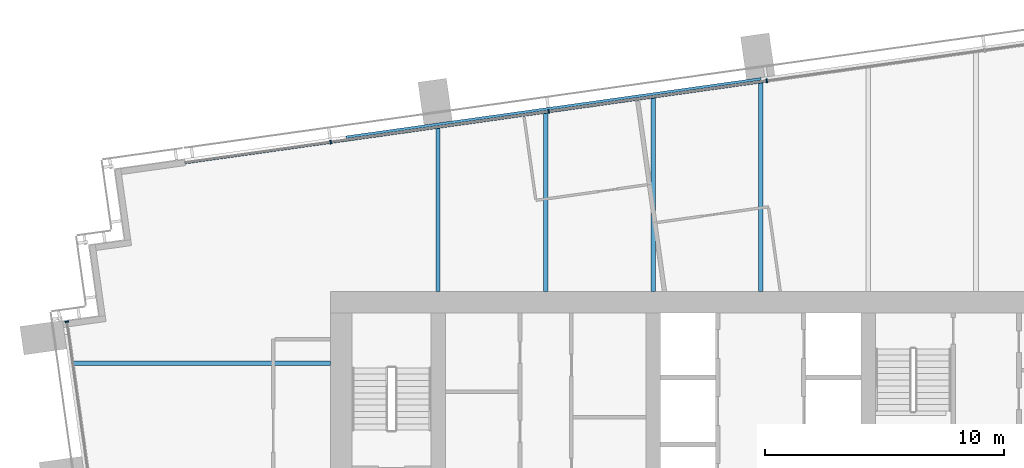
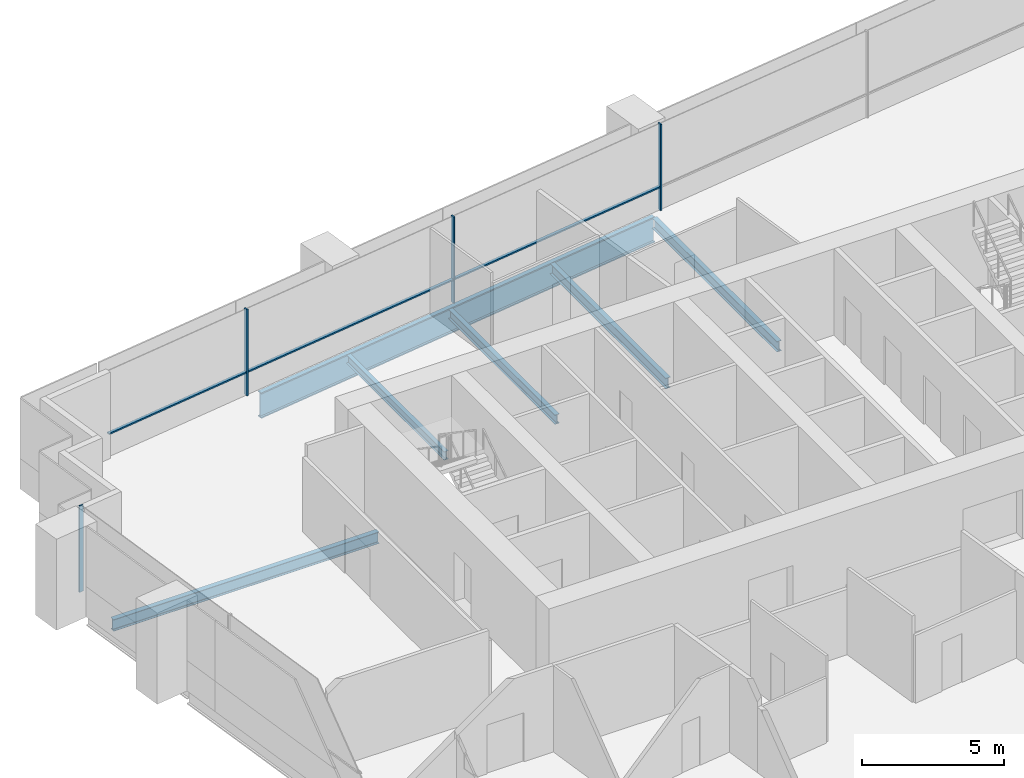
# One storey, part 6 of 18: 7 members, 6 beams, 2 elements without a shape of their own.
"""IFC4 building model written with IfcOpenShell, lengths in metres."""

from ifc_helpers import new_model, si_unit, direction, frame, origin, origin_2d, place, context, subcontext, project, spatial, rectangle, i_section, extrude, material, material_profile, profile_set, type_object, element, aggregate, save


model = new_model("IFC4")

# Units and contexts
model_context = context("Model", 3, precision=1e-05, world=origin(), true_north=direction((0.0, 1.0)))
body_context = subcontext(model_context, "Body", "Model", "MODEL_VIEW")
ifc_project = project(units=[si_unit("LENGTHUNIT", "METRE"), si_unit("AREAUNIT", "SQUARE_METRE"), si_unit("VOLUMEUNIT", "CUBIC_METRE"), si_unit("PLANEANGLEUNIT", "RADIAN"), si_unit("MASSUNIT", "GRAM", prefix="KILO")], contexts=[model_context])

# Site, building, storey
site_placement = place(None, origin())
site = spatial("IfcSite", under=ifc_project, at=site_placement, CompositionType="ELEMENT")
building_placement = place(site_placement, origin())
building = spatial("IfcBuilding", under=site, at=building_placement, Name="Rattan Terrace Tower", CompositionType="ELEMENT")
storey_placement = place(building_placement, frame((0.0, 0.0, 176.300048828125)))
storey = spatial("IfcBuildingStorey", under=building, at=storey_placement, Name="L40", CompositionType="ELEMENT", Elevation=176.300048828125)

# Curtain wall, members
ifc_material_1 = material(Name="Aluminium and glass", Category="aluminium")
curtain_wall_type = type_object("IfcCurtainWallType", Name="Facade Unitised Curtain Wall", PredefinedType="NOTDEFINED", material=ifc_material_1)
curtain_wall_1_placement = place(storey_placement, origin())
curtain_wall_1 = element("IfcCurtainWall", 1, at=curtain_wall_1_placement, inside=storey, type_object=curtain_wall_type, Name="Curtain wall L40-2", PredefinedType="NOTDEFINED")
ifc_material_2 = material(Name="Aluminium", Category="aluminium")
ifc_material_profile_1 = material_profile(ifc_material_2, rectangle(XDim=0.06005859375, YDim=0.159912109375, at=origin_2d()), Name="Aluminium 60x160")
ifc_profile_set_1 = profile_set([ifc_material_profile_1], Name="Aluminium")
member_type_1 = type_object("IfcMemberType", Name="Facade CW Mullion 60x160", PredefinedType="MULLION", material=ifc_profile_set_1)
member_1_placement = place(storey_placement, frame((0.25, 16.3125, 0.0), z_axis=(0.0, 0.0, 1.0), x_axis=(-0.990269702686, -0.139161474347, 0.0)))
member_1 = element("IfcMember", 2, at=member_1_placement, type_object=member_type_1, Name="Mullion cwl-L40-002.3", PredefinedType="MULLION", context=body_context, shape_type="SweptSolid", body=[
    extrude(rectangle(XDim=0.06005859375, YDim=0.159912109375, at=origin_2d()), origin(), (0.0, 0.0, 1.0), 3.699951171875),
])
member_2_placement = place(storey_placement, frame((-8.873291015625, 15.0302734375, 0.0), z_axis=(0.0, 0.0, 1.0), x_axis=(-0.990269702686, -0.139161474347, 0.0)))
member_2 = element("IfcMember", 3, at=member_2_placement, type_object=member_type_1, Name="Mullion cwl-L40-002.4", PredefinedType="MULLION", context=body_context, shape_type="SweptSolid", body=[
    extrude(rectangle(XDim=0.06005859375, YDim=0.159912109375, at=origin_2d()), origin(), (0.0, 0.0, 1.0), 3.699951171875),
])
member_3_placement = place(storey_placement, frame((-17.996826171875, 13.748291015625, 0.0), z_axis=(0.0, 0.0, 1.0), x_axis=(-0.990269702686, -0.139161474347, 0.0)))
member_3 = element("IfcMember", 4, at=member_3_placement, type_object=member_type_1, Name="Mullion cwl-L40-002.5", PredefinedType="MULLION", context=body_context, shape_type="SweptSolid", body=[
    extrude(rectangle(XDim=0.06005859375, YDim=0.159912109375, at=origin_2d()), origin(), (0.0, 0.0, 1.0), 3.699951171875),
])

# Curtain wall, member
curtain_wall_2_placement = place(storey_placement, origin())
curtain_wall_2 = element("IfcCurtainWall", 5, at=curtain_wall_2_placement, inside=storey, type_object=curtain_wall_type, Name="Curtain wall L40-3", PredefinedType="NOTDEFINED")
member_4_placement = place(storey_placement, frame((-29.037109375, 6.2333984375, 0.0), z_axis=(0.0, 0.0, 1.0), x_axis=(0.139190856006, -0.99026557327, 0.0)))
member_4 = element("IfcMember", 6, at=member_4_placement, type_object=member_type_1, Name="Mullion cwl-L40-003.1", PredefinedType="MULLION", context=body_context, shape_type="SweptSolid", body=[
    extrude(rectangle(XDim=0.06005859375, YDim=0.159912109375, at=origin_2d()), origin(), (0.0, 0.0, 1.0), 3.699951171875),
])
aggregate(curtain_wall_2, [member_4])

# Member
ifc_material_3 = material(Name="Aluminium", Category="aluminium")
ifc_material_profile_2 = material_profile(ifc_material_3, rectangle(XDim=0.1201171875, YDim=0.06005859375, at=origin_2d()), Name="Aluminium 120x60")
ifc_profile_set_2 = profile_set([ifc_material_profile_2], Name="Aluminium")
member_type_2 = type_object("IfcMemberType", Name="Facade CW Transom 120x60", PredefinedType="USERDEFINED", material=ifc_profile_set_2)
member_5_placement = place(storey_placement, frame((0.22021484375, 16.308349609375, 1.0), z_axis=(-0.990267035849, -0.139180450171, 0.0), x_axis=(0.139180450171, -0.990267035849, 0.0)))
member_5 = element("IfcMember", 7, at=member_5_placement, type_object=member_type_2, Name="Transom cwl-L40-002.3", ObjectType="TRANSOM", PredefinedType="USERDEFINED", context=body_context, shape_type="SweptSolid", body=[
    extrude(rectangle(XDim=0.1201171875, YDim=0.06005859375, at=origin_2d()), origin(), (0.0, 0.0, 1.0), 9.153076171875),
])

member_6_placement = place(storey_placement, frame((-8.903076171875, 15.026123046875, 1.0), z_axis=(-0.990270711765, -0.139154293575, 0.0), x_axis=(0.139154293575, -0.990270711765, 0.0)))
member_6 = element("IfcMember", 8, at=member_6_placement, type_object=member_type_2, Name="Transom cwl-L40-002.4", ObjectType="TRANSOM", PredefinedType="USERDEFINED", context=body_context, shape_type="SweptSolid", body=[
    extrude(rectangle(XDim=0.1201171875, YDim=0.06005859375, at=origin_2d()), origin(), (0.0, 0.0, 1.0), 9.153076171875),
])

member_7_placement = place(storey_placement, frame((-18.0263671875, 13.744140625, 1.0), z_axis=(-0.990267752185, -0.139175353357, 0.0), x_axis=(0.139175353357, -0.990267752185, 0.0)))
member_7 = element("IfcMember", 9, at=member_7_placement, type_object=member_type_2, Name="Transom cwl-L40-002.5", ObjectType="TRANSOM", PredefinedType="USERDEFINED", context=body_context, shape_type="SweptSolid", body=[
    extrude(rectangle(XDim=0.1201171875, YDim=0.06005859375, at=origin_2d()), origin(), (0.0, 0.0, 1.0), 6.11865234375),
])

aggregate(curtain_wall_1, [member_1, member_2, member_3, member_5, member_6, member_7])

# Beams
ifc_material_4 = material(Name="Steel S460", Category="steel")
ifc_material_profile_3 = material_profile(ifc_material_4, i_section(OverallWidth=0.179931640625, OverallDepth=1.10009765625, WebThickness=0.01611328125, FlangeThickness=0.050048828125, at=origin_2d()), Name="PG 1100x180-16-50")
ifc_profile_set_3 = profile_set([ifc_material_profile_3], Name="Steel S460")
beam_type_1 = type_object("IfcBeamType", Name="Frame edge girder PG 1100x180-16-50", PredefinedType="SPANDREL", material=ifc_profile_set_3)
beam_1_placement = place(storey_placement, frame((-17.347900390625, 13.9208984375, -0.75), z_axis=(0.990273554652, 0.139134061096, 0.0), x_axis=(-0.139134061096, 0.990273554652, 0.0)))
element("IfcBeam", 10, at=beam_1_placement, inside=storey, type_object=beam_type_1, Name="gdr-L40-006", PredefinedType="SPANDREL", context=body_context, shape_type="SweptSolid", body=[
    extrude(i_section(OverallWidth=0.179931640625, OverallDepth=1.10009765625, WebThickness=0.01611328125, FlangeThickness=0.050048828125, at=origin_2d()), origin(), (0.0, 0.0, 1.0), 17.53125),
])
ifc_material_5 = material(Name="Steel S355", Category="steel")
ifc_material_profile_4 = material_profile(ifc_material_5, i_section(OverallWidth=0.169921875, OverallDepth=0.360107421875, WebThickness=0.008056640625, FlangeThickness=0.0126953125, FilletRadius=0.01806640625, at=origin_2d()), Name="IPE 360")
ifc_profile_set_4 = profile_set([ifc_material_profile_4], Name="Steel S355")
beam_type_2 = type_object("IfcBeamType", Name="Frame floor beam IPE 360", PredefinedType="JOIST", material=ifc_profile_set_4)
beam_2_placement = place(storey_placement, frame((-13.5, 7.5, -0.380126953125), z_axis=(0.0, 1.0, 0.0), x_axis=(-1.0, 0.0, 0.0)))
element("IfcBeam", 11, at=beam_2_placement, inside=storey, type_object=beam_type_2, Name="bm-L40-016", PredefinedType="JOIST", context=body_context, shape_type="SweptSolid", body=[
    extrude(i_section(OverallWidth=0.169921875, OverallDepth=0.360107421875, WebThickness=0.008056640625, FlangeThickness=0.0126953125, FilletRadius=0.01806640625, at=origin_2d()), origin(), (0.0, 0.0, 1.0), 6.85888671875),
])
ifc_material_6 = material(Name="Steel S355", Category="steel")
ifc_material_profile_5 = material_profile(ifc_material_6, i_section(OverallWidth=0.179931640625, OverallDepth=0.39990234375, WebThickness=0.008544921875, FlangeThickness=0.013427734375, FilletRadius=0.02099609375, at=origin_2d()), Name="IPE 400")
ifc_profile_set_5 = profile_set([ifc_material_profile_5], Name="Steel S355")
beam_type_3 = type_object("IfcBeamType", Name="Frame floor beam IPE 400", PredefinedType="JOIST", material=ifc_profile_set_5)
beam_3_placement = place(storey_placement, frame((-9.0, 7.5, -0.400146484375), z_axis=(0.0, 1.0, 0.0), x_axis=(-1.0, 0.0, 0.0)))
element("IfcBeam", 12, at=beam_3_placement, inside=storey, type_object=beam_type_3, Name="bm-L40-017", PredefinedType="JOIST", context=body_context, shape_type="SweptSolid", body=[
    extrude(i_section(OverallWidth=0.179931640625, OverallDepth=0.39990234375, WebThickness=0.008544921875, FlangeThickness=0.013427734375, FilletRadius=0.02099609375, at=origin_2d()), origin(), (0.0, 0.0, 1.0), 7.489990234375),
])
ifc_material_7 = material(Name="Steel S355", Category="steel")
ifc_material_profile_6 = material_profile(ifc_material_7, i_section(OverallWidth=0.18994140625, OverallDepth=0.449951171875, WebThickness=0.009521484375, FlangeThickness=0.0146484375, FilletRadius=0.02099609375, at=origin_2d()), Name="IPE 450")
ifc_profile_set_6 = profile_set([ifc_material_profile_6], Name="Steel S355")
beam_type_4 = type_object("IfcBeamType", Name="Frame floor beam IPE 450", PredefinedType="JOIST", material=ifc_profile_set_6)
beam_4_placement = place(storey_placement, frame((-4.5, 7.5, -0.425048828125), z_axis=(0.0, 1.0, 0.0), x_axis=(-1.0, 0.0, 0.0)))
element("IfcBeam", 13, at=beam_4_placement, inside=storey, type_object=beam_type_4, Name="bm-L40-018", PredefinedType="JOIST", context=body_context, shape_type="SweptSolid", body=[
    extrude(i_section(OverallWidth=0.18994140625, OverallDepth=0.449951171875, WebThickness=0.009521484375, FlangeThickness=0.0146484375, FilletRadius=0.02099609375, at=origin_2d()), origin(), (0.0, 0.0, 1.0), 8.1220703125),
])
beam_5_placement = place(storey_placement, frame((0.0, 7.5, -0.425048828125), z_axis=(0.0, 1.0, 0.0), x_axis=(-1.0, 0.0, 0.0)))
element("IfcBeam", 14, at=beam_5_placement, inside=storey, type_object=beam_type_4, Name="bm-L40-019", PredefinedType="JOIST", context=body_context, shape_type="SweptSolid", body=[
    extrude(i_section(OverallWidth=0.18994140625, OverallDepth=0.449951171875, WebThickness=0.009521484375, FlangeThickness=0.0146484375, FilletRadius=0.02099609375, at=origin_2d()), origin(), (0.0, 0.0, 1.0), 8.75390625),
])
ifc_material_8 = material(Name="Steel S355", Category="steel")
ifc_material_profile_7 = material_profile(ifc_material_8, i_section(OverallWidth=0.199951171875, OverallDepth=0.5, WebThickness=0.01025390625, FlangeThickness=0.01611328125, FilletRadius=0.02099609375, at=origin_2d()), Name="IPE 500")
ifc_profile_set_7 = profile_set([ifc_material_profile_7], Name="Steel S355")
beam_type_5 = type_object("IfcBeamType", Name="Frame floor beam IPE 500", PredefinedType="JOIST", material=ifc_profile_set_7)
beam_6_placement = place(storey_placement, frame((-28.77001953125, 4.5, -0.449951171875), z_axis=(1.0, 0.0, 0.0), x_axis=(0.0, 1.0, 0.0)))
element("IfcBeam", 15, at=beam_6_placement, inside=storey, type_object=beam_type_5, Name="bm-L40-014", PredefinedType="JOIST", context=body_context, shape_type="SweptSolid", body=[
    extrude(i_section(OverallWidth=0.199951171875, OverallDepth=0.5, WebThickness=0.01025390625, FlangeThickness=0.01611328125, FilletRadius=0.02099609375, at=origin_2d()), origin(), (0.0, 0.0, 1.0), 10.77001953125),
])

save(model, "model.ifc")
